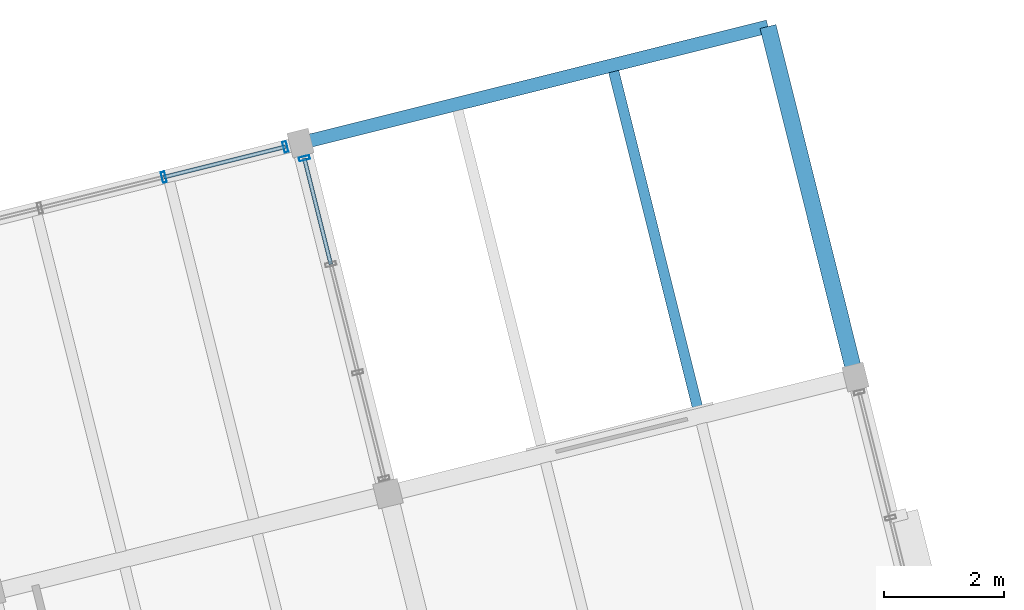
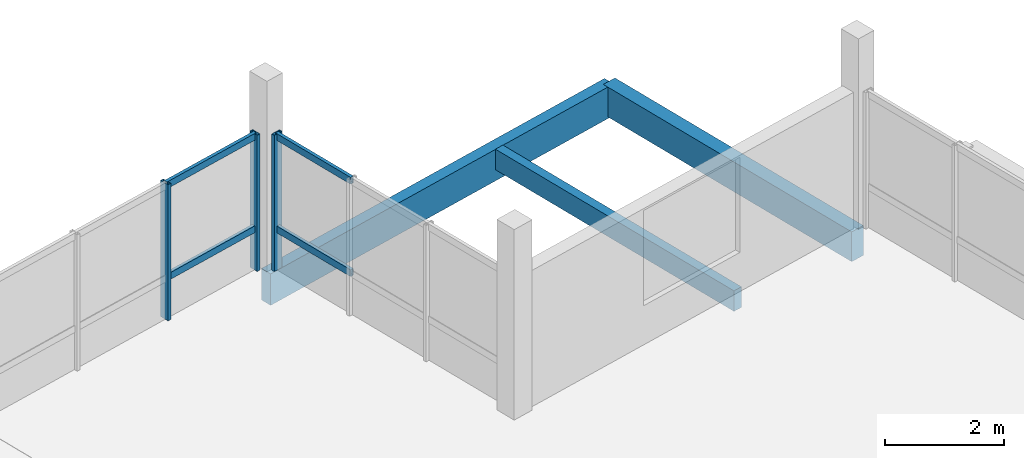
# One storey, part 21 of 27: 7 members, 3 beams, 2 elements without a shape of their own.
"""IFC4 building model written with IfcOpenShell, lengths in metres."""

import ifcopenshell
import ifcopenshell.guid

model = None  # the IFC model being written
_history = None  # IfcOwnerHistory: only IFC2X3 demands one
_inside = {}  # id of a spatial element -> (the spatial element, [elements in it])
_under = {}  # id of a project, library or spatial element -> (it, [spatial elements below it])
_declared = {}  # id of a project -> (the project, [libraries it declares])
_typed = {}  # id of a type object -> (the type object, [elements of that type])
_made_of = {}  # id of a material, layer set ... -> (it, [elements and type objects made of it])


def new_model(schema):
    """Start an empty IFC model of exactly this schema.

    Asked for "IFC4X3", IfcOpenShell would pick the latest addendum, in which some entities
    have other attributes; the version numbers below select the first issue.
    IFC2X3 requires an IfcOwnerHistory on every rooted entity: one is made here for all.
    """
    global model, _history
    if schema == "IFC4X3":
        model = ifcopenshell.file(schema_version=(4, 3, 0, 0))
    else:
        model = ifcopenshell.file(schema=schema)
    _inside.clear()
    _under.clear()
    _declared.clear()
    _typed.clear()
    _made_of.clear()
    _history = None
    if model.schema == "IFC2X3":
        org = make("IfcOrganization", Name="unknown")
        user = make(
            "IfcPersonAndOrganization",
            ThePerson=make("IfcPerson", FamilyName="unknown"),
            TheOrganization=org,
        )
        app = make(
            "IfcApplication",
            ApplicationDeveloper=org,
            Version="unknown",
            ApplicationFullName="unknown",
            ApplicationIdentifier="unknown",
        )
        _history = make(
            "IfcOwnerHistory",
            OwningUser=user,
            OwningApplication=app,
            ChangeAction="ADDED",
            CreationDate=0,
        )
    return model


def make(cls, **values):
    """One entity of the class cls with the attributes given. An attribute that is None is left unset."""
    return model.create_entity(
        cls, **{name: value for name, value in values.items() if value is not None}
    )


def rooted(cls, **values):
    """An entity with a GlobalId (a new one), such as an element, a storey or a relation."""
    return make(cls, GlobalId=ifcopenshell.guid.new(), OwnerHistory=_history, **values)


def si_unit(unit_type, name, prefix=None):
    """IfcSIUnit, for example si_unit("LENGTHUNIT", "METRE", prefix="MILLI")."""
    return make("IfcSIUnit", UnitType=unit_type, Prefix=prefix, Name=name)


def assignment(units):
    """IfcUnitAssignment: the units of a project."""
    return None if units is None else make("IfcUnitAssignment", Units=units)


def point(xyz):
    """IfcCartesianPoint."""
    return None if xyz is None else make("IfcCartesianPoint", Coordinates=xyz)


def direction(xyz):
    """IfcDirection."""
    return None if xyz is None else make("IfcDirection", DirectionRatios=xyz)


def frame(location, z_axis=None, x_axis=None):
    """IfcAxis2Placement3D, a coordinate frame: its origin and axes. An axis left out is left unset."""
    return make(
        "IfcAxis2Placement3D",
        Location=point(location),
        Axis=direction(z_axis),
        RefDirection=direction(x_axis),
    )


def frame_2d(location, x_axis=None):
    """IfcAxis2Placement2D, a coordinate frame in the plane: its origin and x axis."""
    return make(
        "IfcAxis2Placement2D", Location=point(location), RefDirection=direction(x_axis)
    )


def origin():
    """The frame at (0, 0, 0) with its axes left unset."""
    return frame((0.0, 0.0, 0.0))


def origin_2d():
    """The frame at (0, 0) in the plane with its x axis left unset."""
    return frame_2d((0.0, 0.0))


def place(relative_to, where):
    """IfcLocalPlacement: puts the frame where relative to a parent placement (None: the world)."""
    return make(
        "IfcLocalPlacement", PlacementRelTo=relative_to, RelativePlacement=where
    )


def context(
    kind, dimensions, precision=None, world=None, true_north=None, identifier=None
):
    """IfcGeometricRepresentationContext, for example the 3D "Model" context."""
    return make(
        "IfcGeometricRepresentationContext",
        ContextIdentifier=identifier,
        ContextType=kind,
        CoordinateSpaceDimension=dimensions,
        Precision=precision,
        WorldCoordinateSystem=world,
        TrueNorth=true_north,
    )


def subcontext(parent, identifier, kind, view, scale=None):
    """IfcGeometricRepresentationSubContext, for example "Body" below "Model"."""
    return make(
        "IfcGeometricRepresentationSubContext",
        ContextIdentifier=identifier,
        ContextType=kind,
        ParentContext=parent,
        TargetScale=scale,
        TargetView=view,
    )


def project(units=None, contexts=None):
    """IfcProject with its units and contexts."""
    return rooted(
        "IfcProject",
        Name="project",
        RepresentationContexts=contexts,
        UnitsInContext=assignment(units),
    )


def spatial(cls, under=None, at=None, **own):
    """A site, building, storey or space (cls), placed at a placement, below another one or the project."""
    s = rooted(cls, ObjectPlacement=at, **own)
    if under is not None:
        _under.setdefault(under.id(), (under, []))[1].append(s)
    return s


def profile(cls, at=None, kind="AREA", **sizes):
    """A parametric profile (cls). Its sizes go by their IFC names, for example OverallWidth=200.0."""
    return make(cls, ProfileType=kind, Position=at, **sizes)


def rectangle(**sizes):
    """IfcRectangleProfileDef."""
    return profile("IfcRectangleProfileDef", **sizes)


def hollow_rectangle(**sizes):
    """IfcRectangleHollowProfileDef."""
    return profile("IfcRectangleHollowProfileDef", **sizes)


def extrude(swept, where, along, depth):
    """IfcExtrudedAreaSolid: the profile swept, set in the frame where, extruded along a direction by depth."""
    return make(
        "IfcExtrudedAreaSolid",
        SweptArea=swept,
        Position=where,
        ExtrudedDirection=direction(along),
        Depth=depth,
    )


def shape(context_of_items, identifier, shape_type, items):
    """IfcShapeRepresentation: the items that make up one representation, for example the "Body"."""
    return make(
        "IfcShapeRepresentation",
        ContextOfItems=context_of_items,
        RepresentationIdentifier=identifier,
        RepresentationType=shape_type,
        Items=items,
    )


def material(Name=None, Category=None):
    """IfcMaterial."""
    return make("IfcMaterial", Name=Name, Category=Category)


def layer(
    of_material, thickness, ventilated=None, Name=None, Category=None, Priority=None
):
    """IfcMaterialLayer: one layer of a wall or slab, of a material (None: an air gap)."""
    return make(
        "IfcMaterialLayer",
        Material=of_material,
        LayerThickness=thickness,
        IsVentilated=ventilated,
        Name=Name,
        Category=Category,
        Priority=Priority,
    )


def layer_set(layers, Name=None):
    """IfcMaterialLayerSet."""
    return make("IfcMaterialLayerSet", MaterialLayers=layers, LayerSetName=Name)


def material_profile(
    of_material, cross_section, Name=None, Category=None, Priority=None
):
    """IfcMaterialProfile: a cross section and its material."""
    return make(
        "IfcMaterialProfile",
        Name=Name,
        Material=of_material,
        Profile=cross_section,
        Priority=Priority,
        Category=Category,
    )


def profile_set(profiles, Name=None, composite=None):
    """IfcMaterialProfileSet."""
    return make(
        "IfcMaterialProfileSet",
        Name=Name,
        MaterialProfiles=profiles,
        CompositeProfile=composite,
    )


def made_of(thing, what):
    """Note that an element or type object is made of a material, layer set ...; save() writes the relation."""
    if what is not None:
        _made_of.setdefault(what.id(), (what, []))[1].append(thing)
    return thing


def type_object(cls, material=None, **own):
    """A type object (cls), such as IfcWallType, which elements share."""
    return made_of(rooted(cls, **own), material)


def element(
    cls,
    number,
    at=None,
    inside=None,
    cuts=None,
    type_object=None,
    material=None,
    context=None,
    identifier="Body",
    shape_type=None,
    held_by="IfcProductDefinitionShape",
    body=None,
    shapes=None,
    **own,
):
    """One element of the class cls, such as IfcWall. Its Tag is "e" and its number.

    at: its placement. inside: the storey or other place that contains it. cuts: it is an
    opening in that element (IfcRelVoidsElement). A single representation is given by context,
    identifier, shape_type and body (its items); several are given by shapes. held_by: the class
    of the entity that holds the representations. save() writes the other relations.
    """
    e = rooted(cls, Tag="e%d" % number, ObjectPlacement=at, **own)
    if body is not None:
        shapes = [shape(context, identifier, shape_type, body)]
    if shapes is not None:
        e.Representation = make(held_by, Representations=shapes)
    if inside is not None:
        _inside.setdefault(inside.id(), (inside, []))[1].append(e)
    if cuts is not None:
        rooted(
            "IfcRelVoidsElement", RelatingBuildingElement=cuts, RelatedOpeningElement=e
        )
    if type_object is not None:
        _typed.setdefault(type_object.id(), (type_object, []))[1].append(e)
    return made_of(e, material)


def aggregate(whole, parts):
    """IfcRelAggregates: a whole, such as a stair, and the parts it consists of."""
    return rooted("IfcRelAggregates", RelatingObject=whole, RelatedObjects=parts)


def save(model, path):
    """Write the relations noted so far, then the file.

    IfcRelAggregates (storeys below a building ...), IfcRelContainedInSpatialStructure (elements
    in a storey), IfcRelDefinesByType, IfcRelAssociatesMaterial and IfcRelDeclares: one each for
    every whole, place, type object, material and project.
    """
    for whole, parts in _under.values():
        aggregate(whole, parts)
    for where, things in _inside.values():
        rooted(
            "IfcRelContainedInSpatialStructure",
            RelatedElements=things,
            RelatingStructure=where,
        )
    for kind, things in _typed.values():
        rooted("IfcRelDefinesByType", RelatedObjects=things, RelatingType=kind)
    for what, things in _made_of.values():
        rooted("IfcRelAssociatesMaterial", RelatedObjects=things, RelatingMaterial=what)
    for by, libraries in _declared.values():
        rooted("IfcRelDeclares", RelatingContext=by, RelatedDefinitions=libraries)
    model.write(path)


model = new_model("IFC4")

# Units and contexts
model_context = context("Model", 3, precision=1e-05, world=origin(), true_north=direction((0.0, 1.0)))
body_context = subcontext(model_context, "Body", "Model", "MODEL_VIEW")
ifc_project = project(units=[si_unit("LENGTHUNIT", "METRE"), si_unit("AREAUNIT", "SQUARE_METRE"), si_unit("VOLUMEUNIT", "CUBIC_METRE"), si_unit("PLANEANGLEUNIT", "RADIAN"), si_unit("MASSUNIT", "GRAM", prefix="KILO")], contexts=[model_context])

# Site, building, storey
site_placement = place(None, origin())
site = spatial("IfcSite", under=ifc_project, at=site_placement, CompositionType="ELEMENT")
building_placement = place(site_placement, origin())
building = spatial("IfcBuilding", under=site, at=building_placement, Name="Meriwether Solvik Hall", CompositionType="ELEMENT")
storey_placement = place(building_placement, frame((0.0, 0.0, 33.89990234375)))
storey = spatial("IfcBuildingStorey", under=building, at=storey_placement, Name="L08", CompositionType="ELEMENT", Elevation=33.89990234375)

# Beams
ifc_material_1 = material(Name="Glulam Douglas-Fir 24F-V8 GL28h", Category="wood")
ifc_material_profile_1 = material_profile(ifc_material_1, rectangle(XDim=0.221923828125, YDim=0.64501953125, at=origin_2d()), Name="GLB-222X645")
ifc_profile_set_1 = profile_set([ifc_material_profile_1], Name="Glulam Douglas-Fir 24F-V8 GL28h")
beam_type_1 = type_object("IfcBeamType", Name="BM-GL-222X645", PredefinedType="SPANDREL", material=ifc_profile_set_1)
beam_1_placement = place(storey_placement, frame((95.305419921875, 82.899169921875, -0.50244140625), z_axis=(0.970289525963, 0.24194676234, 0.0), x_axis=(-0.24194676234, 0.970289525963, 0.0)))
element("IfcBeam", 1, at=beam_1_placement, inside=storey, type_object=beam_type_1, Name="Tower Girder TF:T6-T7 (L08)", PredefinedType="SPANDREL", context=body_context, shape_type="SweptSolid", body=[
    extrude(rectangle(XDim=0.221923828125, YDim=0.64501953125, at=origin_2d()), origin(), (0.0, 0.0, 1.0), 8.0),
])
ifc_material_2 = material(Name="Glulam Douglas-Fir 24F-V8 GL28h", Category="wood")
ifc_material_profile_2 = material_profile(ifc_material_2, rectangle(XDim=0.27294921875, YDim=0.610107421875, at=origin_2d()), Name="GLB-273X610")
ifc_profile_set_2 = profile_set([ifc_material_profile_2], Name="Glulam Douglas-Fir 24F-V8 GL28h")
beam_type_2 = type_object("IfcBeamType", Name="BM-GL-273X610", PredefinedType="SPANDREL", material=ifc_profile_set_2)
beam_2_placement = place(storey_placement, frame((104.519287109375, 79.012939453125, -0.48486328125), z_axis=(-0.241941986192, 0.970290716908, 0.0), x_axis=(-0.970290716908, -0.241941986192, 0.0)))
element("IfcBeam", 2, at=beam_2_placement, inside=storey, type_object=beam_type_2, Name="Tower Girder T7:TE-TF (L08)", PredefinedType="SPANDREL", context=body_context, shape_type="SweptSolid", body=[
    extrude(rectangle(XDim=0.27294921875, YDim=0.610107421875, at=origin_2d()), origin(), (0.0, 0.0, 1.0), 6.0),
])

# Curtain wall, member
ifc_material_3 = material(Name="Thermally Broken Anodised Aluminium 6063-T6 and Low-E Glass", Category="aluminium")
ifc_layer_1 = layer(ifc_material_3, 0.179931640625)
ifc_layer_set_1 = layer_set([ifc_layer_1], Name="Thermally Broken Anodised Aluminium 6063-T6 and Low-E Glass")
curtain_wall_type_1 = type_object("IfcCurtainWallType", Name="CW-UNIT-D", PredefinedType="USERDEFINED", material=ifc_layer_set_1)
curtain_wall_1_placement = place(storey_placement, origin())
curtain_wall_1 = element("IfcCurtainWall", 3, at=curtain_wall_1_placement, inside=storey, type_object=curtain_wall_type_1, Name="Curtain Wall E5_B0 (L08)", ObjectType="UNITISED CURTAIN WALL", PredefinedType="USERDEFINED")
ifc_material_4 = material(Name="Anodised Aluminium 6063-T6", Category="aluminium")
ifc_material_profile_3 = material_profile(ifc_material_4, hollow_rectangle(XDim=0.06494140625, YDim=0.179931640625, WallThickness=0.00439453125, at=origin_2d()), Name="CWM-65X180")
ifc_profile_set_3 = profile_set([ifc_material_profile_3], Name="Anodised Aluminium 6063-T6")
member_type_1 = type_object("IfcMemberType", Name="CW-MUL-65X180", PredefinedType="MULLION", material=ifc_profile_set_3)
member_1_placement = place(storey_placement, frame((95.3681640625, 82.64697265625, 0.0), z_axis=(0.0, 0.0, 1.0), x_axis=(0.241921889131, -0.970295727889, 0.0)))
member_1 = element("IfcMember", 4, at=member_1_placement, type_object=member_type_1, Name="Curtain Wall Mullion 1", PredefinedType="MULLION", context=body_context, shape_type="SweptSolid", body=[
    extrude(hollow_rectangle(XDim=0.06494140625, YDim=0.179931640625, WallThickness=0.00439453125, at=origin_2d()), origin(), (0.0, 0.0, 1.0), 2.7900390625),
])

# Curtain wall, members
ifc_material_5 = material(Name="Thermally Broken Anodised Aluminium 6063-T6 and Low-E Glass", Category="aluminium")
ifc_layer_2 = layer(ifc_material_5, 0.179931640625)
ifc_layer_set_2 = layer_set([ifc_layer_2], Name="Thermally Broken Anodised Aluminium 6063-T6 and Low-E Glass")
curtain_wall_type_2 = type_object("IfcCurtainWallType", Name="CW-UNIT-B", PredefinedType="USERDEFINED", material=ifc_layer_set_2)
curtain_wall_2_placement = place(storey_placement, origin())
curtain_wall_2 = element("IfcCurtainWall", 5, at=curtain_wall_2_placement, inside=storey, type_object=curtain_wall_type_2, Name="Curtain Wall E6_B4 (L08)", ObjectType="UNITISED CURTAIN WALL", PredefinedType="USERDEFINED")
member_2_placement = place(storey_placement, frame((93.0341796875, 82.3330078125, 0.0), z_axis=(0.0, 0.0, 1.0), x_axis=(0.970295750618, 0.24192179797, 0.0)))
member_2 = element("IfcMember", 6, at=member_2_placement, type_object=member_type_1, Name="Curtain Wall Mullion 3", PredefinedType="MULLION", context=body_context, shape_type="SweptSolid", body=[
    extrude(hollow_rectangle(XDim=0.06494140625, YDim=0.179931640625, WallThickness=0.00439453125, at=origin_2d()), origin(), (0.0, 0.0, 1.0), 2.7900390625),
])
member_3_placement = place(storey_placement, frame((95.052978515625, 82.83642578125, 0.0), z_axis=(0.0, 0.0, 1.0), x_axis=(0.970295750618, 0.24192179797, 0.0)))
member_3 = element("IfcMember", 7, at=member_3_placement, type_object=member_type_1, Name="Curtain Wall Mullion 4", PredefinedType="MULLION", context=body_context, shape_type="SweptSolid", body=[
    extrude(hollow_rectangle(XDim=0.06494140625, YDim=0.179931640625, WallThickness=0.00439453125, at=origin_2d()), origin(), (0.0, 0.0, 1.0), 2.7900390625),
])

# Member
ifc_material_6 = material(Name="Anodised Aluminium 6063-T6", Category="aluminium")
ifc_material_profile_4 = material_profile(ifc_material_6, hollow_rectangle(XDim=0.06494140625, YDim=0.139892578125, WallThickness=0.00439453125, at=origin_2d()), Name="CWT-65X140")
ifc_profile_set_4 = profile_set([ifc_material_profile_4], Name="Anodised Aluminium 6063-T6")
member_type_2 = type_object("IfcMemberType", Name="CW-TRN-65X140", PredefinedType="USERDEFINED", material=ifc_profile_set_4)
member_4_placement = place(storey_placement, frame((95.3681640625, 82.64697265625, 0.837158203125), z_axis=(0.241997217907, -0.97027694321, 0.0), x_axis=(0.97027694321, 0.241997217907, 0.0)))
member_4 = element("IfcMember", 8, at=member_4_placement, type_object=member_type_2, Name="Curtain Wall Transom 1-sill", ObjectType="TRANSOM", PredefinedType="USERDEFINED", context=body_context, shape_type="SweptSolid", body=[
    extrude(hollow_rectangle(XDim=0.06494140625, YDim=0.139892578125, WallThickness=0.00439453125, at=origin_2d()), origin(), (0.0, 0.0, 1.0), 1.81396484375),
])

member_5_placement = place(storey_placement, frame((95.3681640625, 82.64697265625, 2.72998046875), z_axis=(0.241997217907, -0.97027694321, 0.0), x_axis=(0.97027694321, 0.241997217907, 0.0)))
member_5 = element("IfcMember", 9, at=member_5_placement, type_object=member_type_2, Name="Curtain Wall Transom 1-head", ObjectType="TRANSOM", PredefinedType="USERDEFINED", context=body_context, shape_type="SweptSolid", body=[
    extrude(hollow_rectangle(XDim=0.06494140625, YDim=0.139892578125, WallThickness=0.00439453125, at=origin_2d()), origin(), (0.0, 0.0, 1.0), 1.81396484375),
])

aggregate(curtain_wall_1, [member_1, member_4, member_5])

member_6_placement = place(storey_placement, frame((93.0341796875, 82.3330078125, 0.837158203125), z_axis=(0.970287276721, 0.241955782392, 0.0), x_axis=(-0.241955782392, 0.970287276721, 0.0)))
member_6 = element("IfcMember", 10, at=member_6_placement, type_object=member_type_2, Name="Curtain Wall Transom 3-sill", ObjectType="TRANSOM", PredefinedType="USERDEFINED", context=body_context, shape_type="SweptSolid", body=[
    extrude(hollow_rectangle(XDim=0.06494140625, YDim=0.139892578125, WallThickness=0.00439453125, at=origin_2d()), origin(), (0.0, 0.0, 1.0), 2.08056640625),
])

member_7_placement = place(storey_placement, frame((93.0341796875, 82.3330078125, 2.72998046875), z_axis=(0.970287276721, 0.241955782392, 0.0), x_axis=(-0.241955782392, 0.970287276721, 0.0)))
member_7 = element("IfcMember", 11, at=member_7_placement, type_object=member_type_2, Name="Curtain Wall Transom 3-head", ObjectType="TRANSOM", PredefinedType="USERDEFINED", context=body_context, shape_type="SweptSolid", body=[
    extrude(hollow_rectangle(XDim=0.06494140625, YDim=0.139892578125, WallThickness=0.00439453125, at=origin_2d()), origin(), (0.0, 0.0, 1.0), 2.08056640625),
])

aggregate(curtain_wall_2, [member_2, member_3, member_6, member_7])

# Beam
ifc_material_7 = material(Name="Glulam Douglas-Fir 24F-V8 GL28h", Category="wood")
ifc_material_profile_5 = material_profile(ifc_material_7, rectangle(XDim=0.175048828125, YDim=0.419921875, at=origin_2d()), Name="GLJ-175X420")
ifc_profile_set_5 = profile_set([ifc_material_profile_5], Name="Glulam Douglas-Fir 24F-V8 GL28h")
beam_type_3 = type_object("IfcBeamType", Name="JST-GL-175X420", PredefinedType="JOIST", material=ifc_profile_set_5)
beam_3_placement = place(storey_placement, frame((101.89990234375, 78.495361328125, -0.389892578125), z_axis=(-0.241917511092, 0.970296819446, 0.0), x_axis=(-0.970296819446, -0.241917511092, 0.0)))
element("IfcBeam", 12, at=beam_3_placement, inside=storey, type_object=beam_type_3, Name="Glulam Floor Joist T6/TE-J2 (L08)", PredefinedType="JOIST", context=body_context, shape_type="SweptSolid", body=[
    extrude(rectangle(XDim=0.175048828125, YDim=0.419921875, at=origin_2d()), origin(), (0.0, 0.0, 1.0), 5.762451171875),
])

save(model, "model.ifc")
